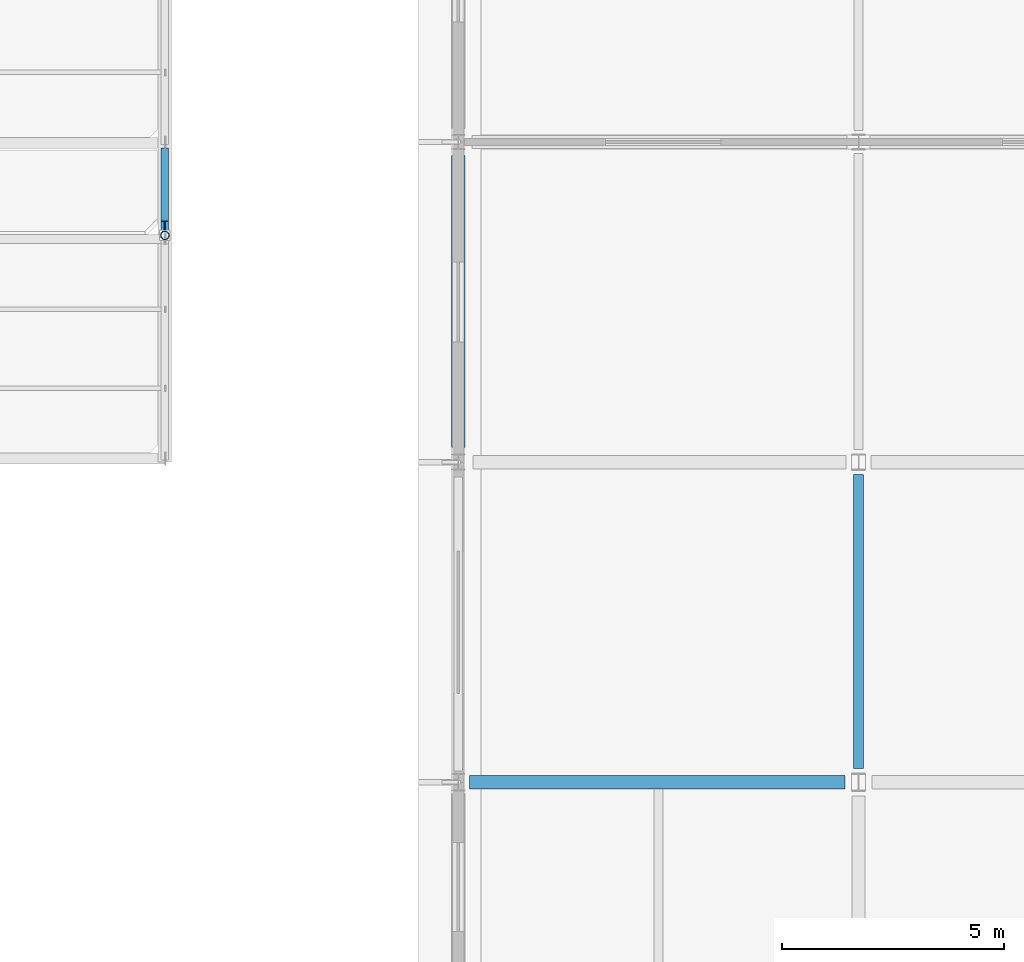
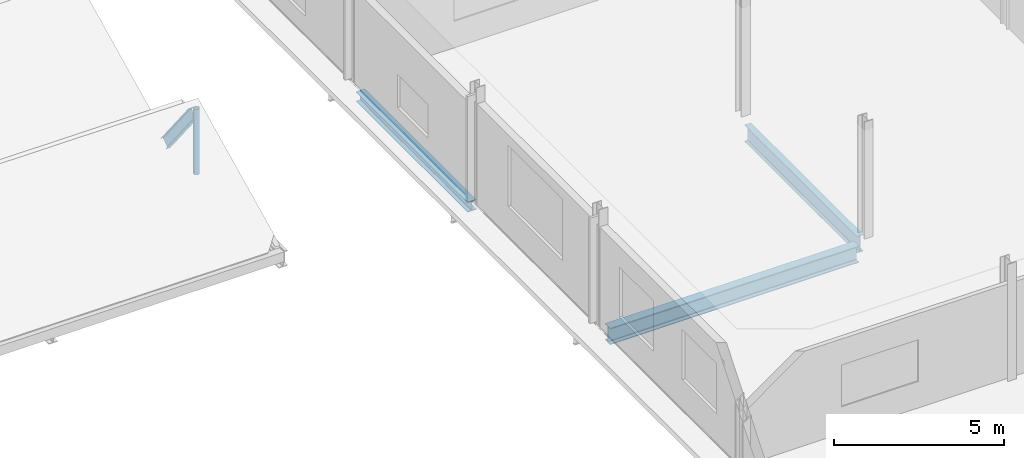
# One storey, part 81 of 138: 4 beams, 1 member.
"""IFC4 building model written with IfcOpenShell, lengths in metres."""

from ifc_helpers import new_model, si_unit, direction, frame, origin, origin_2d, place, context, subcontext, project, spatial, hollow_circle, i_section, extrude, material, material_profile, profile_set, type_object, element, save


model = new_model("IFC4")

# Units and contexts
model_context = context("Model", 3, precision=1e-05, world=origin(), true_north=direction((0.0, 1.0)))
body_context = subcontext(model_context, "Body", "Model", "MODEL_VIEW")
ifc_project = project(units=[si_unit("LENGTHUNIT", "METRE"), si_unit("AREAUNIT", "SQUARE_METRE"), si_unit("VOLUMEUNIT", "CUBIC_METRE"), si_unit("PLANEANGLEUNIT", "RADIAN"), si_unit("MASSUNIT", "GRAM", prefix="KILO")], contexts=[model_context])

# Site, building, storey
site_placement = place(None, origin())
site = spatial("IfcSite", under=ifc_project, at=site_placement, CompositionType="ELEMENT")
building_placement = place(site_placement, origin())
building = spatial("IfcBuilding", under=site, at=building_placement, Name="Vinh Khe Railworks Police Headquarters", CompositionType="ELEMENT")
storey_placement = place(building_placement, frame((0.0, 0.0, 9.0)))
storey = spatial("IfcBuildingStorey", under=building, at=storey_placement, Name="L02", CompositionType="ELEMENT", Elevation=9.0)

# Member
ifc_material = material(Name="Steel S355JR", Category="steel")
ifc_material_profile_1 = material_profile(ifc_material, hollow_circle(Radius=0.096923828125, WallThickness=0.010009765625, at=origin_2d()), Name="CHS 193.7x10")
ifc_profile_set_1 = profile_set([ifc_material_profile_1], Name="Steel S355JR")
member_type = type_object("IfcMemberType", Name="Roof Strut CHS 193.7x10", PredefinedType="STRUT", material=ifc_profile_set_1)
member_placement = place(storey_placement, frame((71.39990234375, 143.10009765625, 0.199951171875), z_axis=(0.0, 0.0, 1.0), x_axis=(1.0, 0.0, 0.0)))
element("IfcMember", 1, at=member_placement, inside=storey, type_object=member_type, Name="Sawtooth Ridge Post 1", PredefinedType="STRUT", context=body_context, shape_type="SweptSolid", body=[
    extrude(hollow_circle(Radius=0.096923828125, WallThickness=0.010009765625, at=origin_2d()), origin(), (0.0, 0.0, 1.0), 2.35009765625),
])

# Beams
ifc_material_profile_2 = material_profile(ifc_material, i_section(OverallWidth=0.300048828125, OverallDepth=0.35009765625, WebThickness=0.010009765625, FlangeThickness=0.017578125, FilletRadius=0.027099609375, at=origin_2d()), Name="HEA 360")
ifc_profile_set_2 = profile_set([ifc_material_profile_2], Name="Steel S355JR")
beam_type_1 = type_object("IfcBeamType", Name="Steel Girder HEA 360", PredefinedType="BEAM", material=ifc_profile_set_2)
beam_1_placement = place(storey_placement, frame((78.0, 138.330078125, -0.39501953125), z_axis=(0.0, 1.0, 0.0), x_axis=(-1.0, 0.0, 0.0)))
element("IfcBeam", 2, at=beam_1_placement, inside=storey, type_object=beam_type_1, Name="Girder BM-L02-NS-SB-15-0979", PredefinedType="BEAM", context=body_context, shape_type="SweptSolid", body=[
    extrude(i_section(OverallWidth=0.300048828125, OverallDepth=0.35009765625, WebThickness=0.010009765625, FlangeThickness=0.017578125, FilletRadius=0.027099609375, at=origin_2d()), origin(), (0.0, 0.0, 1.0), 6.56494140625),
])
ifc_material_profile_3 = material_profile(ifc_material, i_section(OverallWidth=0.300048828125, OverallDepth=0.590087890625, WebThickness=0.012939453125, FlangeThickness=0.02490234375, FilletRadius=0.027099609375, at=origin_2d()), Name="HEA 600")
ifc_profile_set_3 = profile_set([ifc_material_profile_3], Name="Steel S355JR")
beam_type_2 = type_object("IfcBeamType", Name="Steel Girder HEA 600", PredefinedType="BEAM", material=ifc_profile_set_3)
beam_2_placement = place(storey_placement, frame((78.2548828125, 130.800048828125, -0.514892578125), z_axis=(1.0, 0.0, 0.0), x_axis=(0.0, 1.0, 0.0)))
element("IfcBeam", 3, at=beam_2_placement, inside=storey, type_object=beam_type_2, Name="Girder BM-L02-EW-SB-10-0847", PredefinedType="BEAM", context=body_context, shape_type="SweptSolid", body=[
    extrude(i_section(OverallWidth=0.300048828125, OverallDepth=0.590087890625, WebThickness=0.012939453125, FlangeThickness=0.02490234375, FilletRadius=0.027099609375, at=origin_2d()), origin(), (0.0, 0.0, 1.0), 8.440185546875),
])
ifc_material_profile_4 = material_profile(ifc_material, i_section(OverallWidth=0.169921875, OverallDepth=0.360107421875, WebThickness=0.008056640625, FlangeThickness=0.0126953125, FilletRadius=0.01806640625, at=origin_2d()), Name="IPE 360")
ifc_profile_set_4 = profile_set([ifc_material_profile_4], Name="Steel S355JR")
beam_type_3 = type_object("IfcBeamType", Name="Steel Girder IPE 360", PredefinedType="BEAM", material=ifc_profile_set_4)
beam_3_placement = place(storey_placement, frame((71.39990234375, 143.280029296875, 2.25), z_axis=(0.0, 0.620956273736, -0.78384520545), x_axis=(-1.0, 0.0, 0.0)))
element("IfcBeam", 4, at=beam_3_placement, inside=storey, type_object=beam_type_3, Name="Sawtooth Clerestory Girder 1N", PredefinedType="BEAM", context=body_context, shape_type="SweptSolid", body=[
    extrude(i_section(OverallWidth=0.169921875, OverallDepth=0.360107421875, WebThickness=0.008056640625, FlangeThickness=0.0126953125, FilletRadius=0.01806640625, at=origin_2d()), origin(), (0.0, 0.0, 1.0), 2.640869140625),
])
ifc_material_profile_5 = material_profile(ifc_material, i_section(OverallWidth=0.219970703125, OverallDepth=0.60009765625, WebThickness=0.011962890625, FlangeThickness=0.01904296875, FilletRadius=0.02392578125, at=origin_2d()), Name="IPE 600")
ifc_profile_set_5 = profile_set([ifc_material_profile_5], Name="Steel S355JR")
beam_type_4 = type_object("IfcBeamType", Name="Steel Girder IPE 600", PredefinedType="BEAM", material=ifc_profile_set_5)
beam_4_placement = place(storey_placement, frame((87.0, 131.10498046875, -0.52001953125), z_axis=(0.0, 1.0, 0.0), x_axis=(-1.0, 0.0, 0.0)))
element("IfcBeam", 5, at=beam_4_placement, inside=storey, type_object=beam_type_4, Name="Girder BM-L02-NS-SB-17-0987", PredefinedType="BEAM", context=body_context, shape_type="SweptSolid", body=[
    extrude(i_section(OverallWidth=0.219970703125, OverallDepth=0.60009765625, WebThickness=0.011962890625, FlangeThickness=0.01904296875, FilletRadius=0.02392578125, at=origin_2d()), origin(), (0.0, 0.0, 1.0), 6.614990234375),
])

save(model, "model.ifc")
